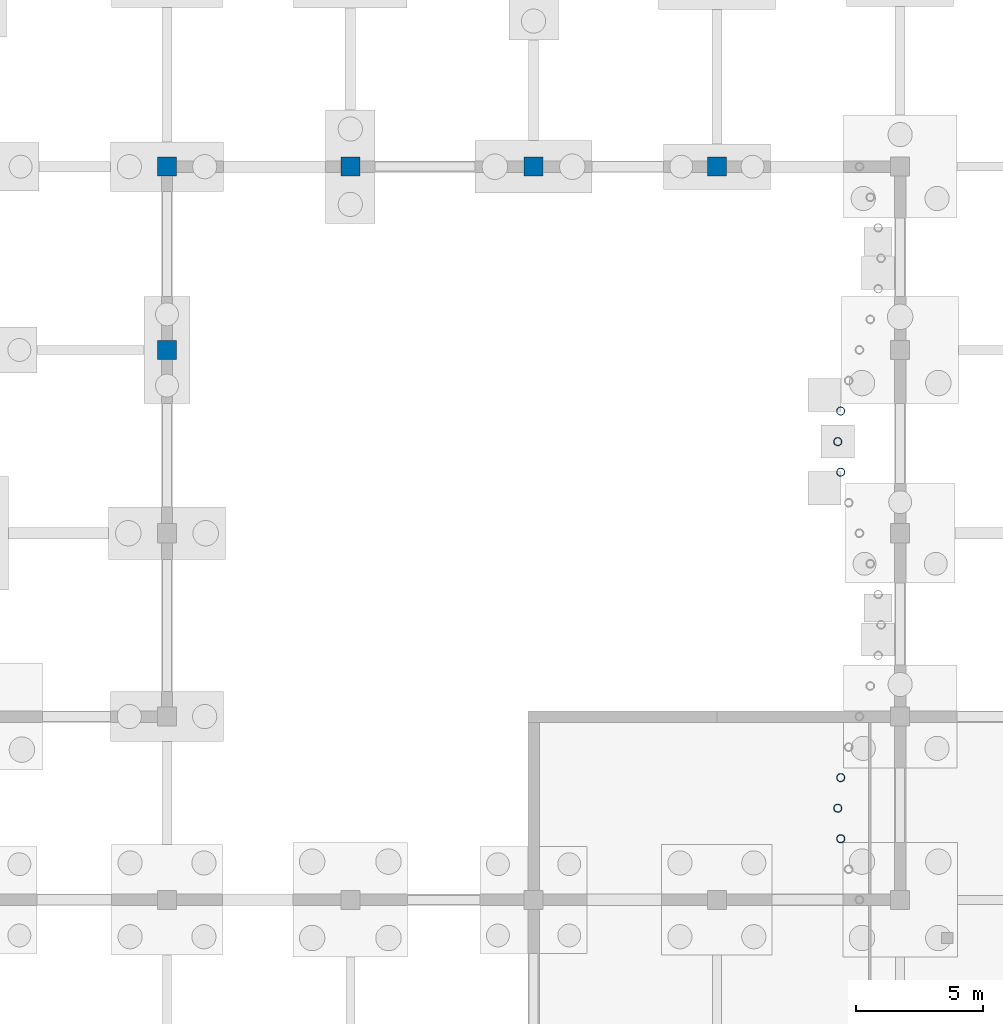
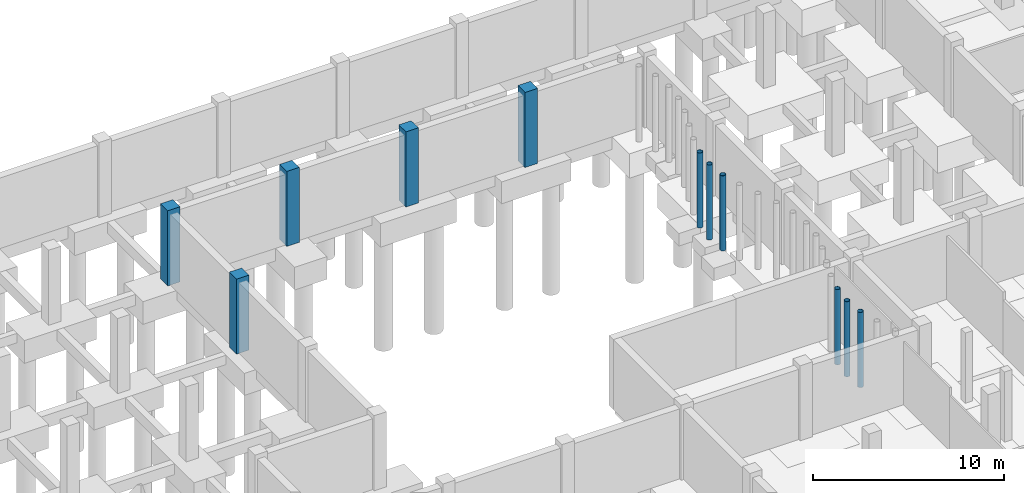
# One storey, part 18 of 35: 11 columns.
"""IFC4 building model written with IfcOpenShell, lengths in metres."""

from ifc_helpers import new_model, si_unit, direction, frame, origin, origin_2d, place, context, subcontext, project, spatial, rectangle, hollow_circle, extrude, material, material_profile, profile_set, type_object, element, save


model = new_model("IFC4")

# Units and contexts
model_context = context("Model", 3, precision=1e-05, world=origin(), true_north=direction((0.0, 1.0)))
body_context = subcontext(model_context, "Body", "Model", "MODEL_VIEW")
ifc_project = project(units=[si_unit("LENGTHUNIT", "METRE"), si_unit("AREAUNIT", "SQUARE_METRE"), si_unit("VOLUMEUNIT", "CUBIC_METRE"), si_unit("PLANEANGLEUNIT", "RADIAN"), si_unit("MASSUNIT", "GRAM", prefix="KILO"), si_unit("THERMODYNAMICTEMPERATUREUNIT", "KELVIN"), si_unit("POWERUNIT", "WATT")], contexts=[model_context])

# Site, building, storey
site_placement = place(None, origin())
site = spatial("IfcSite", under=ifc_project, at=site_placement, CompositionType="ELEMENT")
building_placement = place(site_placement, origin())
building = spatial("IfcBuilding", under=site, at=building_placement, Name="Kaldorven Railside Theatre", CompositionType="ELEMENT")
storey_placement = place(building_placement, frame((0.0, 0.0, -4.800048828125)))
storey = spatial("IfcBuildingStorey", under=building, at=storey_placement, Name="B1", CompositionType="ELEMENT", Elevation=-4.800048828125)

# Columns
ifc_material_1 = material(Name="Steel S355", Category="steel")
ifc_material_profile_1 = material_profile(ifc_material_1, hollow_circle(Radius=0.161865234375, WallThickness=0.01611328125, at=origin_2d()), Name="CHS 323.9x16")
ifc_profile_set_1 = profile_set([ifc_material_profile_1], Name="Steel S355")
column_type_1 = type_object("IfcColumnType", Name="COL-CHS324", PredefinedType="COLUMN", material=ifc_profile_set_1)
for number, where, z_axis, x_axis, name in (
    (1, (70.35009765625, 44.39990234375, 0.0), (0.0, 0.0, 1.0), (1.0, 0.0, 0.0), "B1 Courtyard Flute Mullion Column CFS-001"),
    (2, (70.35009765625, 58.800048828125, 0.0), (0.0, 0.0, 1.0), (1.0, 0.0, 0.0), "B1 Courtyard Flute Mullion Column CFS-004"),
    (3, (70.4638671875, 43.199951171875, 0.0), (0.0, 0.0, 1.0), (1.0, 0.0, 0.0), "B1 Courtyard Flute Mullion Column CFS-007"),
    (4, (70.4638671875, 45.60009765625, 0.0), (0.0, 0.0, 1.0), (1.0, 0.0, 0.0), "B1 Courtyard Flute Mullion Column CFS-010"),
    (5, (70.4638671875, 57.60009765625, 0.0), (0.0, 0.0, 1.0), (1.0, 0.0, 0.0), "B1 Courtyard Flute Mullion Column CFS-013"),
    (6, (70.4638671875, 60.0, 0.0), (0.0, 0.0, 1.0), (1.0, 0.0, 0.0), "B1 Courtyard Flute Mullion Column CFS-016"),
):
    element("IfcColumn", number, at=place(storey_placement, frame(where, z_axis=z_axis, x_axis=x_axis)), inside=storey, type_object=column_type_1, Name=name, PredefinedType="COLUMN", context=body_context, shape_type="SweptSolid", body=[
        extrude(hollow_circle(Radius=0.161865234375, WallThickness=0.01611328125, at=origin_2d()), origin(), (0.0, 0.0, 1.0), 4.800048828125),
    ])
ifc_material_2 = material(Name="Concrete C40/50", Category="concrete")
ifc_material_profile_2 = material_profile(ifc_material_2, rectangle(XDim=0.75, YDim=0.75, at=origin_2d()), Name="RC 750x750")
ifc_profile_set_2 = profile_set([ifc_material_profile_2], Name="Concrete C40/50")
column_type_2 = type_object("IfcColumnType", Name="COL-RC750", PredefinedType="COLUMN", material=ifc_profile_set_2)
for number, where, z_axis, x_axis, name in (
    (7, (44.0, 62.39990234375, 0.0), (0.0, 0.0, 1.0), (1.0, 0.0, 0.0), "B1 Column CG-B1-044-062"),
    (8, (44.0, 69.60009765625, 0.0), (0.0, 0.0, 1.0), (0.0, 1.0, 0.0), "B1 Column CG-B1-044-069"),
    (9, (51.199951171875, 69.60009765625, 0.0), (0.0, 0.0, 1.0), (1.0, 0.0, 0.0), "B1 Column CG-B1-051-069"),
    (10, (58.39990234375, 69.60009765625, 0.0), (0.0, 0.0, 1.0), (1.0, 0.0, 0.0), "B1 Column CG-B1-058-069"),
    (11, (65.60009765625, 69.60009765625, 0.0), (0.0, 0.0, 1.0), (0.0, 1.0, 0.0), "B1 Column CG-B1-065-069"),
):
    element("IfcColumn", number, at=place(storey_placement, frame(where, z_axis=z_axis, x_axis=x_axis)), inside=storey, type_object=column_type_2, Name=name, PredefinedType="COLUMN", context=body_context, shape_type="SweptSolid", body=[
        extrude(rectangle(XDim=0.75, YDim=0.75, at=origin_2d()), origin(), (0.0, 0.0, 1.0), 4.800048828125),
    ])

save(model, "model.ifc")
